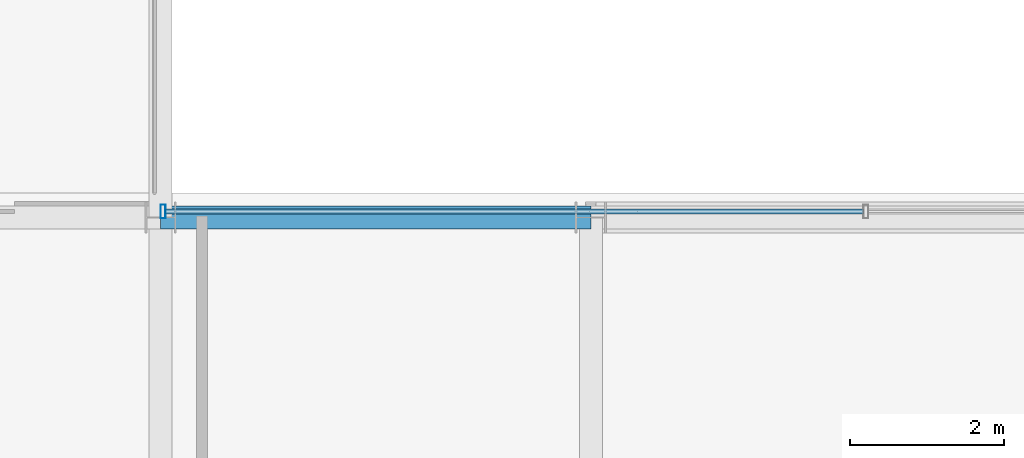
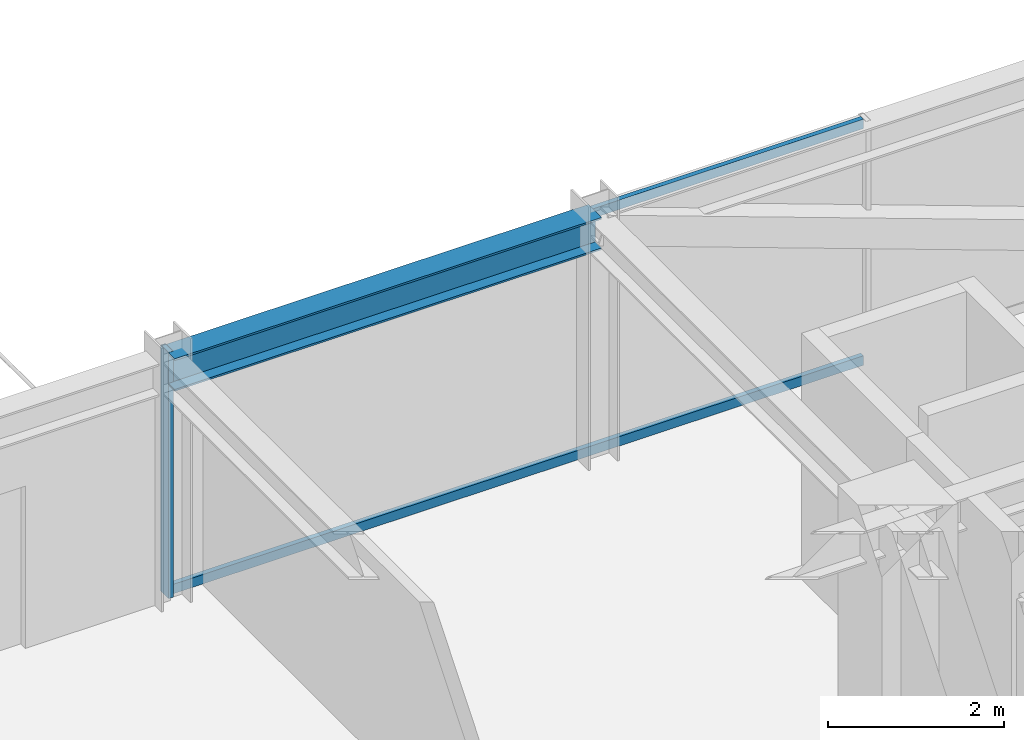
# One storey, part 23 of 42: 3 members, 1 beam, 1 element without a shape of its own.
"""IFC4 building model written with IfcOpenShell, lengths in metres."""

from ifc_helpers import new_model, si_unit, direction, frame, origin, origin_2d, place, context, subcontext, project, spatial, hollow_rectangle, i_section, extrude, source, transform, mapped, material, material_profile, profile_set, type_object, element, aggregate, save


model = new_model("IFC4")

# Units and contexts
model_context = context("Model", 3, precision=1e-05, world=origin(), true_north=direction((0.0, 1.0)))
body_context = subcontext(model_context, "Body", "Model", "MODEL_VIEW")
ifc_project = project(units=[si_unit("LENGTHUNIT", "METRE"), si_unit("AREAUNIT", "SQUARE_METRE"), si_unit("VOLUMEUNIT", "CUBIC_METRE"), si_unit("PLANEANGLEUNIT", "RADIAN"), si_unit("MASSUNIT", "GRAM", prefix="KILO")], contexts=[model_context])

# Site, building, storey
site_placement = place(None, origin())
site = spatial("IfcSite", under=ifc_project, at=site_placement, CompositionType="ELEMENT")
building_placement = place(site_placement, origin())
building = spatial("IfcBuilding", under=site, at=building_placement, Name="Nahalor Promenade Grand Hotel", CompositionType="ELEMENT")
storey_placement = place(building_placement, frame((0.0, 0.0, 249.300048828125)))
storey = spatial("IfcBuildingStorey", under=building, at=storey_placement, Name="L64", CompositionType="ELEMENT", Elevation=249.300048828125)

# Beam
ifc_material_1 = material(Name="Steel S355JR", Category="steel")
ifc_material_profile_1 = material_profile(ifc_material_1, i_section(OverallWidth=0.3, OverallDepth=0.45, WebThickness=0.014, FlangeThickness=0.026, at=origin_2d()), Name="HEB 450")
ifc_profile_set_1 = profile_set([ifc_material_profile_1], Name="Steel S355JR")
beam_type = type_object("IfcBeamType", Name="Beam-Spandrel-HEB450", PredefinedType="SPANDREL", material=ifc_profile_set_1)
shared_shape_1 = source(origin(), body_context, "Body", "SweptSolid", [
    extrude(i_section(OverallWidth=0.3, OverallDepth=0.45, WebThickness=0.014, FlangeThickness=0.026, at=origin_2d()), origin(), (0.0, 0.0, 1.0), 5.599853515625),
])
beam_placement = place(storey_placement, frame((2.800048828125, 23.8798828125, 3.18505859375), z_axis=(1.0, 0.0, 0.0), x_axis=(0.0, 1.0, 0.0)))
element("IfcBeam", 1, at=beam_placement, inside=storey, type_object=beam_type, Name="BM-L64-SP-N-3", PredefinedType="SPANDREL", context=body_context, shape_type="MappedRepresentation", body=[
    mapped(shared_shape_1, transform((0.0, 0.0, 0.0), scale=1.0)),
])

# Curtain wall, members
ifc_material_2 = material(Name="Anodised Bronze Aluminium EN AW-6063 T6", Category="aluminium")
curtain_wall_type = type_object("IfcCurtainWallType", Name="CW2 Typical Hotel Flush Bronze Unitised Curtain Wall", PredefinedType="USERDEFINED", material=ifc_material_2)
curtain_wall_placement = place(storey_placement, origin())
curtain_wall = element("IfcCurtainWall", 2, at=curtain_wall_placement, inside=storey, type_object=curtain_wall_type, Name="L64 Curtain Wall CW-L64-N-3", ObjectType="UNITISED_CURTAIN_WALL", PredefinedType="USERDEFINED")
ifc_material_profile_2 = material_profile(ifc_material_2, hollow_rectangle(XDim=0.065, YDim=0.13, WallThickness=0.004, at=origin_2d()), Name="CWT 65x130x4")
ifc_profile_set_2 = profile_set([ifc_material_profile_2], Name="Anodised Bronze Aluminium EN AW-6063 T6")
member_type_1 = type_object("IfcMemberType", Name="CWT2 Typical Bronze Transom 65x130", PredefinedType="USERDEFINED", material=ifc_profile_set_2)
shared_shape_2 = source(origin(), body_context, "Body", "SweptSolid", [
    extrude(hollow_rectangle(XDim=0.065, YDim=0.13, WallThickness=0.004, at=origin_2d()), origin(), (0.0, 0.0, 1.0), 9.08251953125),
])
member_1_placement = place(storey_placement, frame((2.864990234375, 23.9599609375, 0.06494140625), z_axis=(1.0, 0.0, 0.0), x_axis=(0.0, 1.0, 0.0)))
member_1 = element("IfcMember", 3, at=member_1_placement, type_object=member_type_1, Name="CW-L64-N-3 Transom 0-0", ObjectType="TRANSOM", PredefinedType="USERDEFINED", context=body_context, shape_type="MappedRepresentation", body=[
    mapped(shared_shape_2, transform((0.0, 0.0, 0.0), scale=1.0)),
])
member_2_placement = place(storey_placement, frame((2.864990234375, 23.9599609375, 3.344970703125), z_axis=(1.0, 0.0, 0.0), x_axis=(0.0, 1.0, 0.0)))
member_2 = element("IfcMember", 4, at=member_2_placement, type_object=member_type_1, Name="CW-L64-N-3 Transom 0-1", ObjectType="TRANSOM", PredefinedType="USERDEFINED", context=body_context, shape_type="MappedRepresentation", body=[
    mapped(shared_shape_2, transform((0.0, 0.0, 0.0), scale=1.0)),
])
ifc_material_profile_3 = material_profile(ifc_material_2, hollow_rectangle(XDim=0.065, YDim=0.18, WallThickness=0.004, at=origin_2d()), Name="CWM 65x180x4")
ifc_profile_set_3 = profile_set([ifc_material_profile_3], Name="Anodised Bronze Aluminium EN AW-6063 T6")
member_type_2 = type_object("IfcMemberType", Name="CWM2 Typical Bronze Mullion 65x180", PredefinedType="MULLION", material=ifc_profile_set_3)
shared_shape_3 = source(origin(), body_context, "Body", "SweptSolid", [
    extrude(hollow_rectangle(XDim=0.065, YDim=0.18, WallThickness=0.004, at=origin_2d()), origin(), (0.0, 0.0, 1.0), 3.409912109375),
])
member_3_placement = place(storey_placement, frame((2.83251953125, 23.9599609375, 0.0), z_axis=(0.0, 0.0, 1.0), x_axis=(1.0, 0.0, 0.0)))
member_3 = element("IfcMember", 5, at=member_3_placement, type_object=member_type_2, Name="CW-L64-N-3 Mullion 0", PredefinedType="MULLION", context=body_context, shape_type="MappedRepresentation", body=[
    mapped(shared_shape_3, transform((0.0, 0.0, 0.0), scale=1.0)),
])
aggregate(curtain_wall, [member_3, member_1, member_2])

save(model, "model.ifc")
